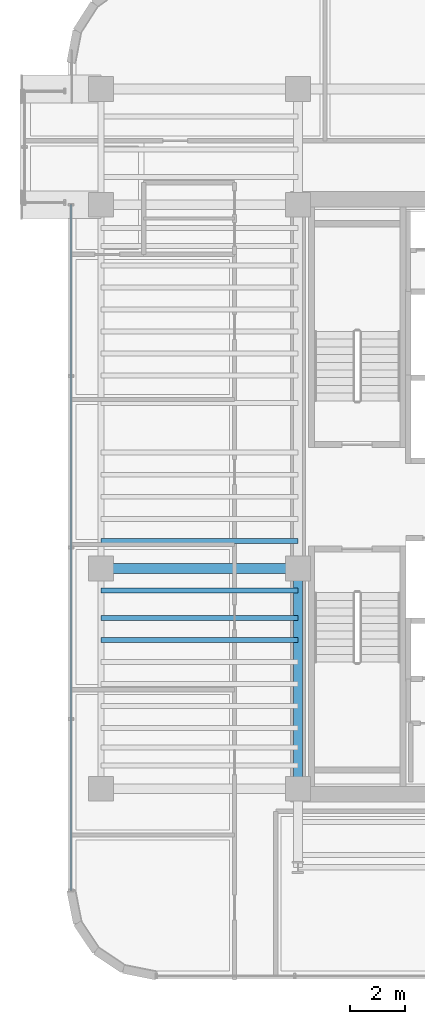
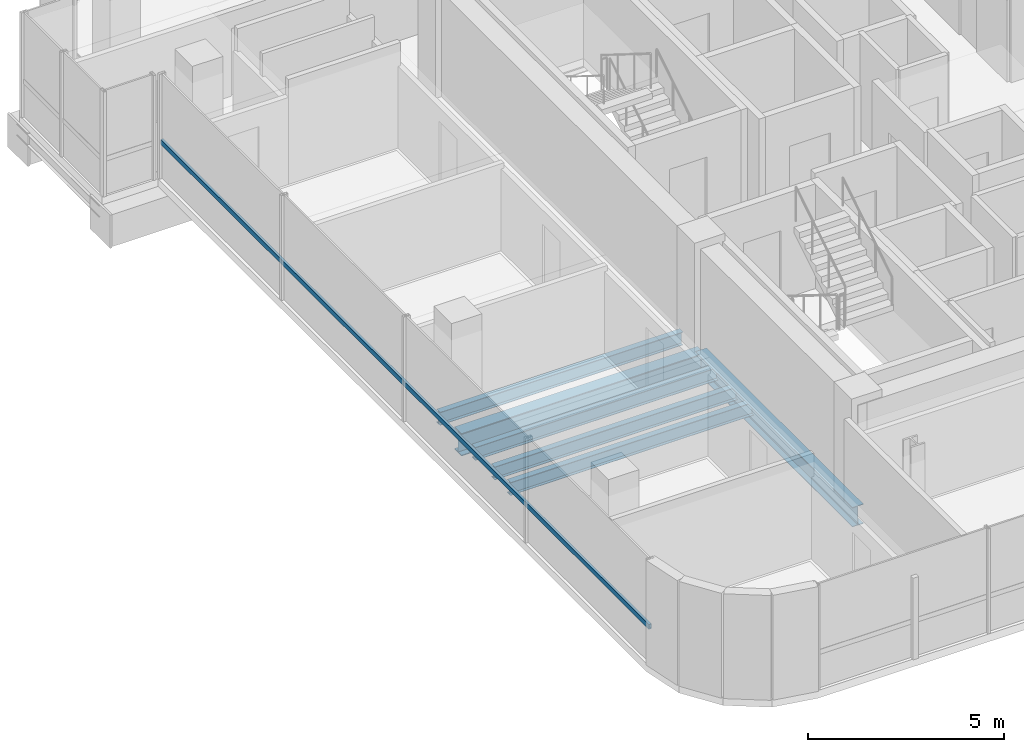
# One storey, part 5 of 21: 6 beams, 1 member, 1 element without a shape of its own.
"""IFC4 building model written with IfcOpenShell, lengths in metres."""

from ifc_helpers import new_model, si_unit, direction, frame, origin, origin_2d, place, context, subcontext, project, spatial, hollow_rectangle, i_section, extrude, source, transform, mapped, material, material_profile, profile_set, type_object, element, aggregate, save


model = new_model("IFC4")

# Units and contexts
model_context = context("Model", 3, precision=1e-05, world=origin(), true_north=direction((0.0, 1.0)))
body_context = subcontext(model_context, "Body", "Model", "MODEL_VIEW")
ifc_project = project(units=[si_unit("LENGTHUNIT", "METRE"), si_unit("AREAUNIT", "SQUARE_METRE"), si_unit("VOLUMEUNIT", "CUBIC_METRE"), si_unit("PLANEANGLEUNIT", "RADIAN"), si_unit("MASSUNIT", "GRAM", prefix="KILO")], contexts=[model_context])

# Site, building, storey
site_placement = place(None, origin())
site = spatial("IfcSite", under=ifc_project, at=site_placement, CompositionType="ELEMENT")
building_placement = place(site_placement, origin())
building = spatial("IfcBuilding", under=site, at=building_placement, Name="Valdorenza Pilgrim Sanctuary Tower", CompositionType="ELEMENT")
storey_placement = place(building_placement, frame((0.0, 0.0, 223.0)))
storey = spatial("IfcBuildingStorey", under=building, at=storey_placement, Name="L57", CompositionType="ELEMENT", Elevation=223.0)

# Beams
ifc_material_1 = material(Name="Steel ASTM A992 Grade 50", Category="steel")
ifc_material_profile_1 = material_profile(ifc_material_1, i_section(OverallWidth=0.323974609375, OverallDepth=0.611083984375, WebThickness=0.0126953125, FlangeThickness=0.01904296875, at=origin_2d()), Name="W24X104")
ifc_profile_set_1 = profile_set([ifc_material_profile_1], Name="Steel ASTM A992 Grade 50")
beam_type_1 = type_object("IfcBeamType", Name="STR-BM-GRD-W24B", PredefinedType="BEAM", material=ifc_profile_set_1)
shared_shape_1 = source(origin(), body_context, "Body", "SweptSolid", [
    extrude(i_section(OverallWidth=0.323974609375, OverallDepth=0.611083984375, WebThickness=0.0126953125, FlangeThickness=0.01904296875, at=origin_2d()), origin(), (0.0, 0.0, 1.0), 8.0),
])
beam_1_placement = place(storey_placement, frame((-22.64990234375, -10.60009765625, -0.54541015625), z_axis=(0.0, 1.0, 0.0), x_axis=(-1.0, 0.0, 0.0)))
element("IfcBeam", 1, at=beam_1_placement, inside=storey, type_object=beam_type_1, Name="L57 Core Tie Girder CA-W-S1M0", PredefinedType="BEAM", context=body_context, shape_type="MappedRepresentation", body=[
    mapped(shared_shape_1, transform((0.0, 0.0, 0.0), x_axis=(1.0, 0.0, 0.0), y_axis=(0.0, 1.0, 0.0), z_axis=(0.0, 0.0, 1.0), scale=1.0)),
])
ifc_material_profile_2 = material_profile(ifc_material_1, i_section(OverallWidth=0.35595703125, OverallDepth=0.700927734375, WebThickness=0.016845703125, FlangeThickness=0.02734375, at=origin_2d()), Name="W27X161")
ifc_profile_set_2 = profile_set([ifc_material_profile_2], Name="Steel ASTM A992 Grade 50")
beam_type_2 = type_object("IfcBeamType", Name="STR-BM-GRD-W27", PredefinedType="BEAM", material=ifc_profile_set_2)
shared_shape_2 = source(origin(), body_context, "Body", "SweptSolid", [
    extrude(i_section(OverallWidth=0.35595703125, OverallDepth=0.700927734375, WebThickness=0.016845703125, FlangeThickness=0.02734375, at=origin_2d()), origin(), (0.0, 0.0, 1.0), 7.150146484375),
])
beam_2_placement = place(storey_placement, frame((-29.800048828125, -2.60009765625, -0.590576171875), z_axis=(1.0, 0.0, 0.0), x_axis=(0.0, 1.0, 0.0)))
element("IfcBeam", 2, at=beam_2_placement, inside=storey, type_object=beam_type_2, Name="L57 Floor Girder WA-XW-M0", PredefinedType="BEAM", context=body_context, shape_type="MappedRepresentation", body=[
    mapped(shared_shape_2, transform((0.0, 0.0, 0.0), x_axis=(1.0, 0.0, 0.0), y_axis=(0.0, 1.0, 0.0), z_axis=(0.0, 0.0, 1.0), scale=1.0)),
])
ifc_material_profile_3 = material_profile(ifc_material_1, i_section(OverallWidth=0.177978515625, OverallDepth=0.406005859375, WebThickness=0.0078125, FlangeThickness=0.0126953125, at=origin_2d()), Name="W16X40")
ifc_profile_set_3 = profile_set([ifc_material_profile_3], Name="Steel ASTM A992 Grade 50")
beam_type_3 = type_object("IfcBeamType", Name="STR-BM-JST-W16", PredefinedType="JOIST", material=ifc_profile_set_3)
shared_shape_3 = source(origin(), body_context, "Body", "SweptSolid", [
    extrude(i_section(OverallWidth=0.177978515625, OverallDepth=0.406005859375, WebThickness=0.0078125, FlangeThickness=0.0126953125, at=origin_2d()), origin(), (0.0, 0.0, 1.0), 7.150146484375),
])
for number, where, z_axis, x_axis, name in (
    (3, (-29.800048828125, -5.199951171875, -0.443115234375), (1.0, 0.0, 0.0), (0.0, 1.0, 0.0), "L57 Composite Floor Joist JST-WA-7"),
    (4, (-29.800048828125, -4.39990234375, -0.443115234375), (1.0, 0.0, 0.0), (0.0, 1.0, 0.0), "L57 Composite Floor Joist JST-WA-8"),
    (5, (-29.800048828125, -3.39990234375, -0.443115234375), (1.0, 0.0, 0.0), (0.0, 1.0, 0.0), "L57 Composite Floor Joist JST-WA-9"),
    (6, (-29.800048828125, -1.60009765625, -0.443115234375), (1.0, 0.0, 0.0), (0.0, 1.0, 0.0), "L57 Composite Floor Joist JST-WA-10"),
):
    element("IfcBeam", number, at=place(storey_placement, frame(where, z_axis=z_axis, x_axis=x_axis)), inside=storey, type_object=beam_type_3, Name=name, PredefinedType="JOIST", context=body_context, shape_type="MappedRepresentation", body=[
        mapped(shared_shape_3, transform((0.0, 0.0, 0.0), x_axis=(1.0, 0.0, 0.0), y_axis=(0.0, 1.0, 0.0), z_axis=(0.0, 0.0, 1.0), scale=1.0)),
    ])

# Curtain wall, member
ifc_material_2 = material(Name="Curtain-wall IGU glazing", Category="glass")
curtain_wall_type = type_object("IfcCurtainWallType", Name="CW-SYS-02", PredefinedType="NOTDEFINED", material=ifc_material_2)
curtain_wall_placement = place(storey_placement, origin())
curtain_wall = element("IfcCurtainWall", 7, at=curtain_wall_placement, inside=storey, type_object=curtain_wall_type, Name="L57 Curtain Wall CW-L57-1-1S1", PredefinedType="NOTDEFINED")
ifc_material_3 = material(Name="Anodised aluminium AW-6060", Category="aluminium")
ifc_material_profile_4 = material_profile(ifc_material_3, hollow_rectangle(XDim=0.074951171875, YDim=0.14990234375, WallThickness=0.00390625, at=origin_2d()), Name="ALU-T 150x75x4")
ifc_profile_set_4 = profile_set([ifc_material_profile_4], Name="Anodised aluminium AW-6060")
member_type = type_object("IfcMemberType", Name="CW-TRN-02", PredefinedType="USERDEFINED", material=ifc_profile_set_4)
shared_shape_4 = source(origin(), body_context, "Body", "SweptSolid", [
    extrude(hollow_rectangle(XDim=0.074951171875, YDim=0.14990234375, WallThickness=0.00390625, at=origin_2d()), origin(), (0.0, 0.0, 1.0), 24.889404296875),
])
member_placement = place(storey_placement, frame((-30.889892578125, -14.289306640625, 1.1201171875), z_axis=(0.0, 1.0, 0.0), x_axis=(-1.0, 0.0, 0.0)))
member = element("IfcMember", 8, at=member_placement, type_object=member_type, Name="CW-L57-1-1S1 Transom 1", ObjectType="TRANSOM", PredefinedType="USERDEFINED", context=body_context, shape_type="MappedRepresentation", body=[
    mapped(shared_shape_4, transform((0.0, 0.0, 0.0), x_axis=(1.0, 0.0, 0.0), y_axis=(0.0, 1.0, 0.0), z_axis=(0.0, 0.0, 1.0), scale=1.0)),
])
aggregate(curtain_wall, [member])

save(model, "model.ifc")
